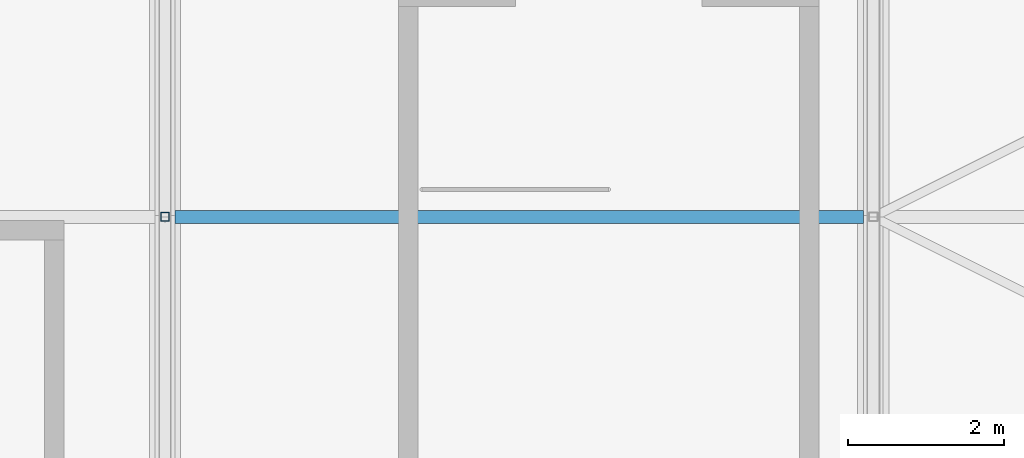
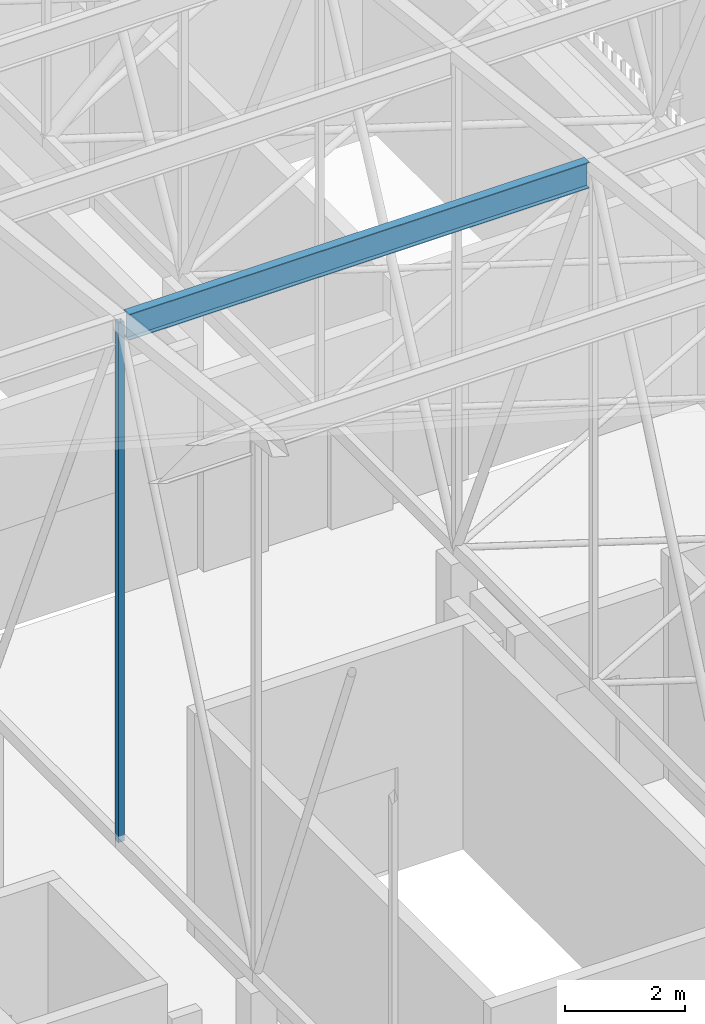
# One storey, part 383 of 500: 2 members.
"""IFC4 building model written with IfcOpenShell, lengths in metres."""

import ifcopenshell
import ifcopenshell.guid

model = None  # the IFC model being written
_history = None  # IfcOwnerHistory: only IFC2X3 demands one
_inside = {}  # id of a spatial element -> (the spatial element, [elements in it])
_under = {}  # id of a project, library or spatial element -> (it, [spatial elements below it])
_declared = {}  # id of a project -> (the project, [libraries it declares])
_typed = {}  # id of a type object -> (the type object, [elements of that type])
_made_of = {}  # id of a material, layer set ... -> (it, [elements and type objects made of it])


def new_model(schema):
    """Start an empty IFC model of exactly this schema.

    Asked for "IFC4X3", IfcOpenShell would pick the latest addendum, in which some entities
    have other attributes; the version numbers below select the first issue.
    IFC2X3 requires an IfcOwnerHistory on every rooted entity: one is made here for all.
    """
    global model, _history
    if schema == "IFC4X3":
        model = ifcopenshell.file(schema_version=(4, 3, 0, 0))
    else:
        model = ifcopenshell.file(schema=schema)
    _inside.clear()
    _under.clear()
    _declared.clear()
    _typed.clear()
    _made_of.clear()
    _history = None
    if model.schema == "IFC2X3":
        org = make("IfcOrganization", Name="unknown")
        user = make(
            "IfcPersonAndOrganization",
            ThePerson=make("IfcPerson", FamilyName="unknown"),
            TheOrganization=org,
        )
        app = make(
            "IfcApplication",
            ApplicationDeveloper=org,
            Version="unknown",
            ApplicationFullName="unknown",
            ApplicationIdentifier="unknown",
        )
        _history = make(
            "IfcOwnerHistory",
            OwningUser=user,
            OwningApplication=app,
            ChangeAction="ADDED",
            CreationDate=0,
        )
    return model


def make(cls, **values):
    """One entity of the class cls with the attributes given. An attribute that is None is left unset."""
    return model.create_entity(
        cls, **{name: value for name, value in values.items() if value is not None}
    )


def rooted(cls, **values):
    """An entity with a GlobalId (a new one), such as an element, a storey or a relation."""
    return make(cls, GlobalId=ifcopenshell.guid.new(), OwnerHistory=_history, **values)


def si_unit(unit_type, name, prefix=None):
    """IfcSIUnit, for example si_unit("LENGTHUNIT", "METRE", prefix="MILLI")."""
    return make("IfcSIUnit", UnitType=unit_type, Prefix=prefix, Name=name)


def assignment(units):
    """IfcUnitAssignment: the units of a project."""
    return None if units is None else make("IfcUnitAssignment", Units=units)


def point(xyz):
    """IfcCartesianPoint."""
    return None if xyz is None else make("IfcCartesianPoint", Coordinates=xyz)


def direction(xyz):
    """IfcDirection."""
    return None if xyz is None else make("IfcDirection", DirectionRatios=xyz)


def frame(location, z_axis=None, x_axis=None):
    """IfcAxis2Placement3D, a coordinate frame: its origin and axes. An axis left out is left unset."""
    return make(
        "IfcAxis2Placement3D",
        Location=point(location),
        Axis=direction(z_axis),
        RefDirection=direction(x_axis),
    )


def frame_2d(location, x_axis=None):
    """IfcAxis2Placement2D, a coordinate frame in the plane: its origin and x axis."""
    return make(
        "IfcAxis2Placement2D", Location=point(location), RefDirection=direction(x_axis)
    )


def origin():
    """The frame at (0, 0, 0) with its axes left unset."""
    return frame((0.0, 0.0, 0.0))


def origin_2d():
    """The frame at (0, 0) in the plane with its x axis left unset."""
    return frame_2d((0.0, 0.0))


def place(relative_to, where):
    """IfcLocalPlacement: puts the frame where relative to a parent placement (None: the world)."""
    return make(
        "IfcLocalPlacement", PlacementRelTo=relative_to, RelativePlacement=where
    )


def context(
    kind, dimensions, precision=None, world=None, true_north=None, identifier=None
):
    """IfcGeometricRepresentationContext, for example the 3D "Model" context."""
    return make(
        "IfcGeometricRepresentationContext",
        ContextIdentifier=identifier,
        ContextType=kind,
        CoordinateSpaceDimension=dimensions,
        Precision=precision,
        WorldCoordinateSystem=world,
        TrueNorth=true_north,
    )


def subcontext(parent, identifier, kind, view, scale=None):
    """IfcGeometricRepresentationSubContext, for example "Body" below "Model"."""
    return make(
        "IfcGeometricRepresentationSubContext",
        ContextIdentifier=identifier,
        ContextType=kind,
        ParentContext=parent,
        TargetScale=scale,
        TargetView=view,
    )


def project(units=None, contexts=None):
    """IfcProject with its units and contexts."""
    return rooted(
        "IfcProject",
        Name="project",
        RepresentationContexts=contexts,
        UnitsInContext=assignment(units),
    )


def spatial(cls, under=None, at=None, **own):
    """A site, building, storey or space (cls), placed at a placement, below another one or the project."""
    s = rooted(cls, ObjectPlacement=at, **own)
    if under is not None:
        _under.setdefault(under.id(), (under, []))[1].append(s)
    return s


def profile(cls, at=None, kind="AREA", **sizes):
    """A parametric profile (cls). Its sizes go by their IFC names, for example OverallWidth=200.0."""
    return make(cls, ProfileType=kind, Position=at, **sizes)


def hollow_rectangle(**sizes):
    """IfcRectangleHollowProfileDef."""
    return profile("IfcRectangleHollowProfileDef", **sizes)


def i_section(**sizes):
    """IfcIShapeProfileDef."""
    return profile("IfcIShapeProfileDef", **sizes)


def extrude(swept, where, along, depth):
    """IfcExtrudedAreaSolid: the profile swept, set in the frame where, extruded along a direction by depth."""
    return make(
        "IfcExtrudedAreaSolid",
        SweptArea=swept,
        Position=where,
        ExtrudedDirection=direction(along),
        Depth=depth,
    )


def shape(context_of_items, identifier, shape_type, items):
    """IfcShapeRepresentation: the items that make up one representation, for example the "Body"."""
    return make(
        "IfcShapeRepresentation",
        ContextOfItems=context_of_items,
        RepresentationIdentifier=identifier,
        RepresentationType=shape_type,
        Items=items,
    )


def material(Name=None, Category=None):
    """IfcMaterial."""
    return make("IfcMaterial", Name=Name, Category=Category)


def material_profile(
    of_material, cross_section, Name=None, Category=None, Priority=None
):
    """IfcMaterialProfile: a cross section and its material."""
    return make(
        "IfcMaterialProfile",
        Name=Name,
        Material=of_material,
        Profile=cross_section,
        Priority=Priority,
        Category=Category,
    )


def profile_set(profiles, Name=None, composite=None):
    """IfcMaterialProfileSet."""
    return make(
        "IfcMaterialProfileSet",
        Name=Name,
        MaterialProfiles=profiles,
        CompositeProfile=composite,
    )


def made_of(thing, what):
    """Note that an element or type object is made of a material, layer set ...; save() writes the relation."""
    if what is not None:
        _made_of.setdefault(what.id(), (what, []))[1].append(thing)
    return thing


def type_object(cls, material=None, **own):
    """A type object (cls), such as IfcWallType, which elements share."""
    return made_of(rooted(cls, **own), material)


def element(
    cls,
    number,
    at=None,
    inside=None,
    cuts=None,
    type_object=None,
    material=None,
    context=None,
    identifier="Body",
    shape_type=None,
    held_by="IfcProductDefinitionShape",
    body=None,
    shapes=None,
    **own,
):
    """One element of the class cls, such as IfcWall. Its Tag is "e" and its number.

    at: its placement. inside: the storey or other place that contains it. cuts: it is an
    opening in that element (IfcRelVoidsElement). A single representation is given by context,
    identifier, shape_type and body (its items); several are given by shapes. held_by: the class
    of the entity that holds the representations. save() writes the other relations.
    """
    e = rooted(cls, Tag="e%d" % number, ObjectPlacement=at, **own)
    if body is not None:
        shapes = [shape(context, identifier, shape_type, body)]
    if shapes is not None:
        e.Representation = make(held_by, Representations=shapes)
    if inside is not None:
        _inside.setdefault(inside.id(), (inside, []))[1].append(e)
    if cuts is not None:
        rooted(
            "IfcRelVoidsElement", RelatingBuildingElement=cuts, RelatedOpeningElement=e
        )
    if type_object is not None:
        _typed.setdefault(type_object.id(), (type_object, []))[1].append(e)
    return made_of(e, material)


def aggregate(whole, parts):
    """IfcRelAggregates: a whole, such as a stair, and the parts it consists of."""
    return rooted("IfcRelAggregates", RelatingObject=whole, RelatedObjects=parts)


def save(model, path):
    """Write the relations noted so far, then the file.

    IfcRelAggregates (storeys below a building ...), IfcRelContainedInSpatialStructure (elements
    in a storey), IfcRelDefinesByType, IfcRelAssociatesMaterial and IfcRelDeclares: one each for
    every whole, place, type object, material and project.
    """
    for whole, parts in _under.values():
        aggregate(whole, parts)
    for where, things in _inside.values():
        rooted(
            "IfcRelContainedInSpatialStructure",
            RelatedElements=things,
            RelatingStructure=where,
        )
    for kind, things in _typed.values():
        rooted("IfcRelDefinesByType", RelatedObjects=things, RelatingType=kind)
    for what, things in _made_of.values():
        rooted("IfcRelAssociatesMaterial", RelatedObjects=things, RelatingMaterial=what)
    for by, libraries in _declared.values():
        rooted("IfcRelDeclares", RelatingContext=by, RelatedDefinitions=libraries)
    model.write(path)


model = new_model("IFC4")

# Units and contexts
model_context = context("Model", 3, precision=1e-05, world=origin(), true_north=direction((0.0, 1.0)))
body_context = subcontext(model_context, "Body", "Model", "MODEL_VIEW")
ifc_project = project(units=[si_unit("LENGTHUNIT", "METRE"), si_unit("AREAUNIT", "SQUARE_METRE"), si_unit("VOLUMEUNIT", "CUBIC_METRE"), si_unit("PLANEANGLEUNIT", "RADIAN"), si_unit("MASSUNIT", "GRAM", prefix="KILO")], contexts=[model_context])

# Site, building, storey
site_placement = place(None, origin())
site = spatial("IfcSite", under=ifc_project, at=site_placement, CompositionType="ELEMENT")
building_placement = place(site_placement, origin())
building = spatial("IfcBuilding", under=site, at=building_placement, Name="Shirokan Park Arena", CompositionType="ELEMENT")
storey_placement = place(building_placement, frame((0.0, 0.0, 29.1201171875)))
storey = spatial("IfcBuildingStorey", under=building, at=storey_placement, Name="L06", CompositionType="ELEMENT", Elevation=29.1201171875)

# Members
ifc_material_1 = material(Name="Steel ASTM A992", Category="steel")
ifc_material_profile_1 = material_profile(ifc_material_1, i_section(OverallWidth=0.166015625, OverallDepth=0.528076171875, WebThickness=0.009765625, FlangeThickness=0.013671875, at=origin_2d()), Name="W530X74")
ifc_profile_set_1 = profile_set([ifc_material_profile_1], Name="Steel ASTM A992")
member_type_1 = type_object("IfcMemberType", Name="Purlin W530X74", PredefinedType="PURLIN", material=ifc_profile_set_1)
member_1_placement = place(storey_placement, frame((127.527099609375, 86.449951171875, 15.0859375), z_axis=(1.0, 0.0, 0.0), x_axis=(0.0, 1.0, 0.0)))
element("IfcMember", 1, at=member_1_placement, inside=storey, type_object=member_type_1, Name="Purlin 22 bay 15", PredefinedType="PURLIN", context=body_context, shape_type="SweptSolid", body=[
    extrude(i_section(OverallWidth=0.166015625, OverallDepth=0.528076171875, WebThickness=0.009765625, FlangeThickness=0.013671875, at=origin_2d()), origin(), (0.0, 0.0, 1.0), 8.845947265625),
])
ifc_material_2 = material(Name="Steel ASTM A500 Grade C", Category="steel")
ifc_material_profile_2 = material_profile(ifc_material_2, hollow_rectangle(XDim=0.114013671875, YDim=0.114013671875, WallThickness=0.00634765625, at=origin_2d()), Name="HSS114.3X114.3X6.4")
ifc_profile_set_2 = profile_set([ifc_material_profile_2], Name="Steel ASTM A500 Grade C")
member_type_2 = type_object("IfcMemberType", Name="Truss post HSS114.3X114.3X6.4", PredefinedType="POST", material=ifc_profile_set_2)
member_2_placement = place(storey_placement, frame((127.39990234375, 86.449951171875, 4.677001953125), z_axis=(0.0, 0.0, 1.0), x_axis=(1.0, 0.0, 0.0)))
element("IfcMember", 2, at=member_2_placement, inside=storey, type_object=member_type_2, Name="Truss T15 post 22", PredefinedType="POST", context=body_context, shape_type="SweptSolid", body=[
    extrude(hollow_rectangle(XDim=0.114013671875, YDim=0.114013671875, WallThickness=0.00634765625, at=origin_2d()), origin(), (0.0, 0.0, 1.0), 10.5458984375),
])

save(model, "model.ifc")
